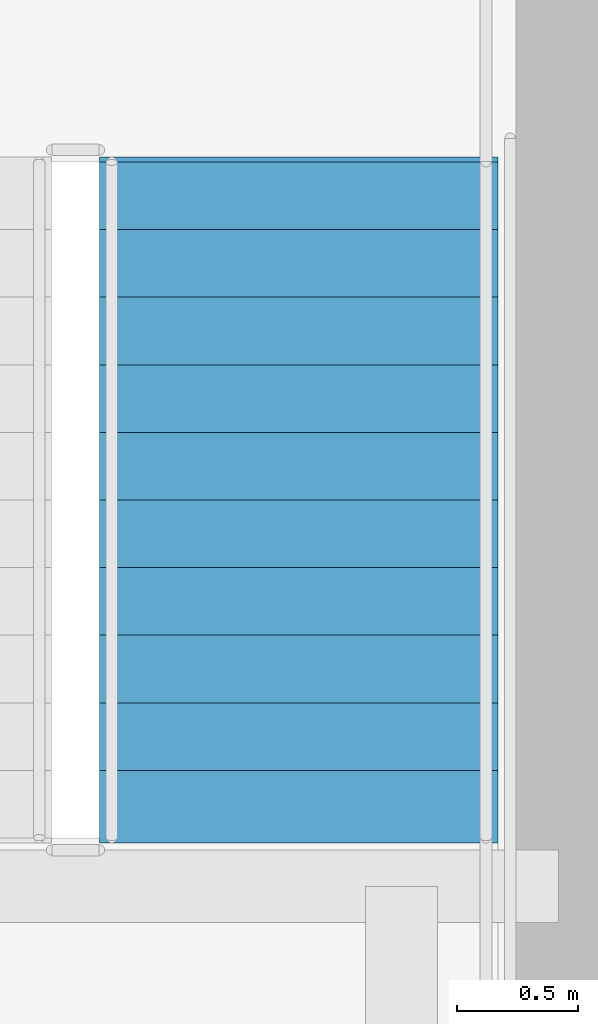
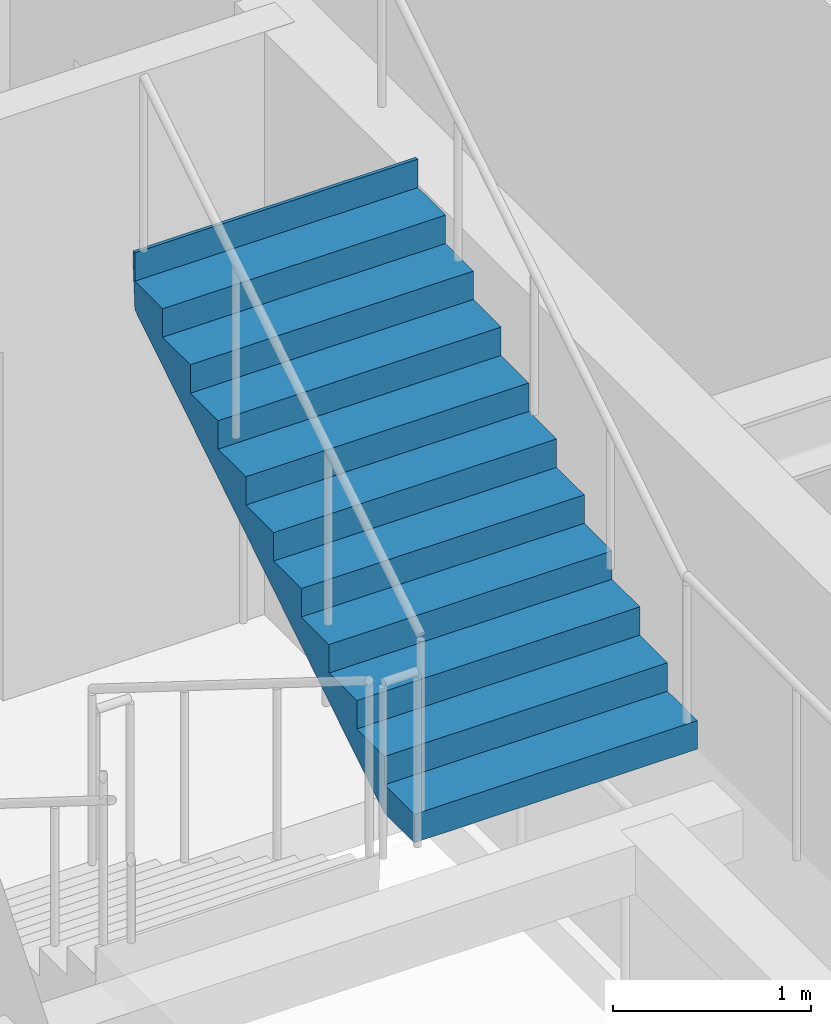
# One storey, part 30 of 35: 1 stair flight, 1 element without a shape of its own.
"""IFC4 building model written with IfcOpenShell, lengths in metres."""

from ifc_helpers import new_model, si_unit, direction, frame, origin, place, context, subcontext, project, spatial, polygons, material, type_object, element, aggregate, save


model = new_model("IFC4")

# Units and contexts
model_context = context("Model", 3, precision=1e-05, world=origin(), true_north=direction((0.0, 1.0)))
body_context = subcontext(model_context, "Body", "Model", "MODEL_VIEW")
ifc_project = project(units=[si_unit("LENGTHUNIT", "METRE"), si_unit("AREAUNIT", "SQUARE_METRE"), si_unit("VOLUMEUNIT", "CUBIC_METRE"), si_unit("PLANEANGLEUNIT", "RADIAN"), si_unit("MASSUNIT", "GRAM", prefix="KILO")], contexts=[model_context])

# Site, building, storey
site_placement = place(None, origin())
site = spatial("IfcSite", under=ifc_project, at=site_placement, CompositionType="ELEMENT")
building_placement = place(site_placement, origin())
building = spatial("IfcBuilding", under=site, at=building_placement, Name="Serunith Strait Residences", CompositionType="ELEMENT")
storey_placement = place(building_placement, frame((0.0, 0.0, 214.300048828125)))
storey = spatial("IfcBuildingStorey", under=building, at=storey_placement, Name="L53", CompositionType="ELEMENT", Elevation=214.300048828125)

# Stair, stair flight
ifc_material = material(Name="Concrete C50/60", Category="concrete")
stair_type = type_object("IfcStairType", Name="STR-CORE-2", PredefinedType="HALF_TURN_STAIR", material=ifc_material)
stair_placement = place(storey_placement, origin())
stair = element("IfcStair", 1, at=stair_placement, inside=storey, type_object=stair_type, Name="L53 Protected Escape Stair ST-2", PredefinedType="HALF_TURN_STAIR")
stair_flight_type = type_object("IfcStairFlightType", Name="FLT-CORE-2", PredefinedType="STRAIGHT", material=ifc_material)
stair_flight_placement = place(storey_placement, frame((40.324951171875, 20.570068359375, 1.925048828125), z_axis=(0.0, 0.0, 1.0), x_axis=(0.0, 1.0, 0.0)))
stair_flight = element("IfcStairFlight", 2, at=stair_flight_placement, type_object=stair_flight_type, Name="ST-2 flight 2", NumberOfRisers=11, NumberOfTreads=10, PredefinedType="STRAIGHT", RiserHeight=0.175, TreadLength=0.28, context=body_context, shape_type="Tessellation", body=[
    polygons([(-0.02001953125, -0.824951171875, 0.0), (-0.02001953125, -0.824951171875, 0.175048828125), (0.280029296875, -0.824951171875, 0.175048828125), (0.280029296875, -0.824951171875, 0.35009765625), (0.56005859375, -0.824951171875, 0.35009765625), (0.56005859375, -0.824951171875, 0.52490234375), (0.840087890625, -0.824951171875, 0.52490234375), (0.840087890625, -0.824951171875, 0.699951171875), (1.1201171875, -0.824951171875, 0.699951171875), (1.1201171875, -0.824951171875, 0.875), (1.39990234375, -0.824951171875, 0.875), (1.39990234375, -0.824951171875, 1.050048828125), (1.679931640625, -0.824951171875, 1.050048828125), (1.679931640625, -0.824951171875, 1.22509765625), (1.9599609375, -0.824951171875, 1.22509765625), (1.9599609375, -0.824951171875, 1.39990234375), (2.239990234375, -0.824951171875, 1.39990234375), (2.239990234375, -0.824951171875, 1.574951171875), (2.52001953125, -0.824951171875, 1.574951171875), (2.52001953125, -0.824951171875, 1.75), (2.800048828125, -0.824951171875, 1.75), (2.800048828125, -0.824951171875, 1.925048828125), (2.820068359375, -0.824951171875, 1.925048828125), (2.820068359375, -0.824951171875, 1.864990234375), (2.800048828125, -0.824951171875, 1.5732421875), (0.28271484375, -0.824951171875, 0.0), (-0.02001953125, -0.41259765625, 0.0), (-0.02001953125, -0.41259765625, 0.175048828125), (0.280029296875, -0.41259765625, 0.175048828125), (0.280029296875, -0.41259765625, 0.35009765625), (0.56005859375, -0.41259765625, 0.35009765625), (0.56005859375, -0.41259765625, 0.52490234375), (0.840087890625, -0.41259765625, 0.52490234375), (0.840087890625, -0.41259765625, 0.699951171875), (1.1201171875, -0.41259765625, 0.699951171875), (1.1201171875, -0.41259765625, 0.875), (1.39990234375, -0.41259765625, 0.875), (1.39990234375, -0.41259765625, 1.050048828125), (1.679931640625, -0.41259765625, 1.050048828125), (1.679931640625, -0.41259765625, 1.22509765625), (1.9599609375, -0.41259765625, 1.22509765625), (1.9599609375, -0.41259765625, 1.39990234375), (2.239990234375, -0.41259765625, 1.39990234375), (2.239990234375, -0.41259765625, 1.574951171875), (2.52001953125, -0.41259765625, 1.574951171875), (2.52001953125, -0.41259765625, 1.75), (2.800048828125, -0.41259765625, 1.75), (2.800048828125, -0.41259765625, 1.925048828125), (2.820068359375, -0.41259765625, 1.925048828125), (2.820068359375, -0.41259765625, 1.864990234375), (2.800048828125, -0.41259765625, 1.5732421875), (0.28271484375, -0.41259765625, 0.0), (-0.02001953125, 0.0, 0.0), (-0.02001953125, 0.0, 0.175048828125), (0.280029296875, 0.0, 0.175048828125), (0.280029296875, 0.0, 0.35009765625), (0.56005859375, 0.0, 0.35009765625), (0.56005859375, 0.0, 0.52490234375), (0.840087890625, 0.0, 0.52490234375), (0.840087890625, 0.0, 0.699951171875), (1.1201171875, 0.0, 0.699951171875), (1.1201171875, 0.0, 0.875), (1.39990234375, 0.0, 0.875), (1.39990234375, 0.0, 1.050048828125), (1.679931640625, 0.0, 1.050048828125), (1.679931640625, 0.0, 1.22509765625), (1.9599609375, 0.0, 1.22509765625), (1.9599609375, 0.0, 1.39990234375), (2.239990234375, 0.0, 1.39990234375), (2.239990234375, 0.0, 1.574951171875), (2.52001953125, 0.0, 1.574951171875), (2.52001953125, 0.0, 1.75), (2.800048828125, 0.0, 1.75), (2.800048828125, 0.0, 1.925048828125), (2.820068359375, 0.0, 1.925048828125), (2.820068359375, 0.0, 1.864990234375), (2.800048828125, 0.0, 1.5732421875), (0.28271484375, 0.0, 0.0), (-0.02001953125, 0.41259765625, 0.0), (-0.02001953125, 0.41259765625, 0.175048828125), (0.280029296875, 0.41259765625, 0.175048828125), (0.280029296875, 0.41259765625, 0.35009765625), (0.56005859375, 0.41259765625, 0.35009765625), (0.56005859375, 0.41259765625, 0.52490234375), (0.840087890625, 0.41259765625, 0.52490234375), (0.840087890625, 0.41259765625, 0.699951171875), (1.1201171875, 0.41259765625, 0.699951171875), (1.1201171875, 0.41259765625, 0.875), (1.39990234375, 0.41259765625, 0.875), (1.39990234375, 0.41259765625, 1.050048828125), (1.679931640625, 0.41259765625, 1.050048828125), (1.679931640625, 0.41259765625, 1.22509765625), (1.9599609375, 0.41259765625, 1.22509765625), (1.9599609375, 0.41259765625, 1.39990234375), (2.239990234375, 0.41259765625, 1.39990234375), (2.239990234375, 0.41259765625, 1.574951171875), (2.52001953125, 0.41259765625, 1.574951171875), (2.52001953125, 0.41259765625, 1.75), (2.800048828125, 0.41259765625, 1.75), (2.800048828125, 0.41259765625, 1.925048828125), (2.820068359375, 0.41259765625, 1.925048828125), (2.820068359375, 0.41259765625, 1.864990234375), (2.800048828125, 0.41259765625, 1.5732421875), (0.28271484375, 0.41259765625, 0.0), (-0.02001953125, 0.824951171875, 0.0), (-0.02001953125, 0.824951171875, 0.175048828125), (0.280029296875, 0.824951171875, 0.175048828125), (0.280029296875, 0.824951171875, 0.35009765625), (0.56005859375, 0.824951171875, 0.35009765625), (0.56005859375, 0.824951171875, 0.52490234375), (0.840087890625, 0.824951171875, 0.52490234375), (0.840087890625, 0.824951171875, 0.699951171875), (1.1201171875, 0.824951171875, 0.699951171875), (1.1201171875, 0.824951171875, 0.875), (1.39990234375, 0.824951171875, 0.875), (1.39990234375, 0.824951171875, 1.050048828125), (1.679931640625, 0.824951171875, 1.050048828125), (1.679931640625, 0.824951171875, 1.22509765625), (1.9599609375, 0.824951171875, 1.22509765625), (1.9599609375, 0.824951171875, 1.39990234375), (2.239990234375, 0.824951171875, 1.39990234375), (2.239990234375, 0.824951171875, 1.574951171875), (2.52001953125, 0.824951171875, 1.574951171875), (2.52001953125, 0.824951171875, 1.75), (2.800048828125, 0.824951171875, 1.75), (2.800048828125, 0.824951171875, 1.925048828125), (2.820068359375, 0.824951171875, 1.925048828125), (2.820068359375, 0.824951171875, 1.864990234375), (2.800048828125, 0.824951171875, 1.5732421875), (0.28271484375, 0.824951171875, 0.0)], [[[1, 2, 28, 27]], [[2, 3, 29, 28]], [[3, 4, 30, 29]], [[4, 5, 31, 30]], [[5, 6, 32, 31]], [[6, 7, 33, 32]], [[7, 8, 34, 33]], [[8, 9, 35, 34]], [[9, 10, 36, 35]], [[10, 11, 37, 36]], [[11, 12, 38, 37]], [[12, 13, 39, 38]], [[13, 14, 40, 39]], [[14, 15, 41, 40]], [[15, 16, 42, 41]], [[16, 17, 43, 42]], [[17, 18, 44, 43]], [[18, 19, 45, 44]], [[19, 20, 46, 45]], [[20, 21, 47, 46]], [[21, 22, 48, 47]], [[22, 23, 49, 48]], [[23, 24, 50, 49]], [[24, 25, 51, 50]], [[25, 26, 52, 51]], [[26, 1, 27, 52]], [[27, 28, 54, 53]], [[28, 29, 55, 54]], [[29, 30, 56, 55]], [[30, 31, 57, 56]], [[31, 32, 58, 57]], [[32, 33, 59, 58]], [[33, 34, 60, 59]], [[34, 35, 61, 60]], [[35, 36, 62, 61]], [[36, 37, 63, 62]], [[37, 38, 64, 63]], [[38, 39, 65, 64]], [[39, 40, 66, 65]], [[40, 41, 67, 66]], [[41, 42, 68, 67]], [[42, 43, 69, 68]], [[43, 44, 70, 69]], [[44, 45, 71, 70]], [[45, 46, 72, 71]], [[46, 47, 73, 72]], [[47, 48, 74, 73]], [[48, 49, 75, 74]], [[49, 50, 76, 75]], [[50, 51, 77, 76]], [[51, 52, 78, 77]], [[52, 27, 53, 78]], [[53, 54, 80, 79]], [[54, 55, 81, 80]], [[55, 56, 82, 81]], [[56, 57, 83, 82]], [[57, 58, 84, 83]], [[58, 59, 85, 84]], [[59, 60, 86, 85]], [[60, 61, 87, 86]], [[61, 62, 88, 87]], [[62, 63, 89, 88]], [[63, 64, 90, 89]], [[64, 65, 91, 90]], [[65, 66, 92, 91]], [[66, 67, 93, 92]], [[67, 68, 94, 93]], [[68, 69, 95, 94]], [[69, 70, 96, 95]], [[70, 71, 97, 96]], [[71, 72, 98, 97]], [[72, 73, 99, 98]], [[73, 74, 100, 99]], [[74, 75, 101, 100]], [[75, 76, 102, 101]], [[76, 77, 103, 102]], [[77, 78, 104, 103]], [[78, 53, 79, 104]], [[79, 80, 106, 105]], [[80, 81, 107, 106]], [[81, 82, 108, 107]], [[82, 83, 109, 108]], [[83, 84, 110, 109]], [[84, 85, 111, 110]], [[85, 86, 112, 111]], [[86, 87, 113, 112]], [[87, 88, 114, 113]], [[88, 89, 115, 114]], [[89, 90, 116, 115]], [[90, 91, 117, 116]], [[91, 92, 118, 117]], [[92, 93, 119, 118]], [[93, 94, 120, 119]], [[94, 95, 121, 120]], [[95, 96, 122, 121]], [[96, 97, 123, 122]], [[97, 98, 124, 123]], [[98, 99, 125, 124]], [[99, 100, 126, 125]], [[100, 101, 127, 126]], [[101, 102, 128, 127]], [[102, 103, 129, 128]], [[103, 104, 130, 129]], [[104, 79, 105, 130]], [[26, 25, 24, 23, 22, 21, 20, 19, 18, 17, 16, 15, 14, 13, 12, 11, 10, 9, 8, 7, 6, 5, 4, 3, 2, 1]], [[105, 106, 107, 108, 109, 110, 111, 112, 113, 114, 115, 116, 117, 118, 119, 120, 121, 122, 123, 124, 125, 126, 127, 128, 129, 130]]], closed=True),
])
aggregate(stair, [stair_flight])

save(model, "model.ifc")
